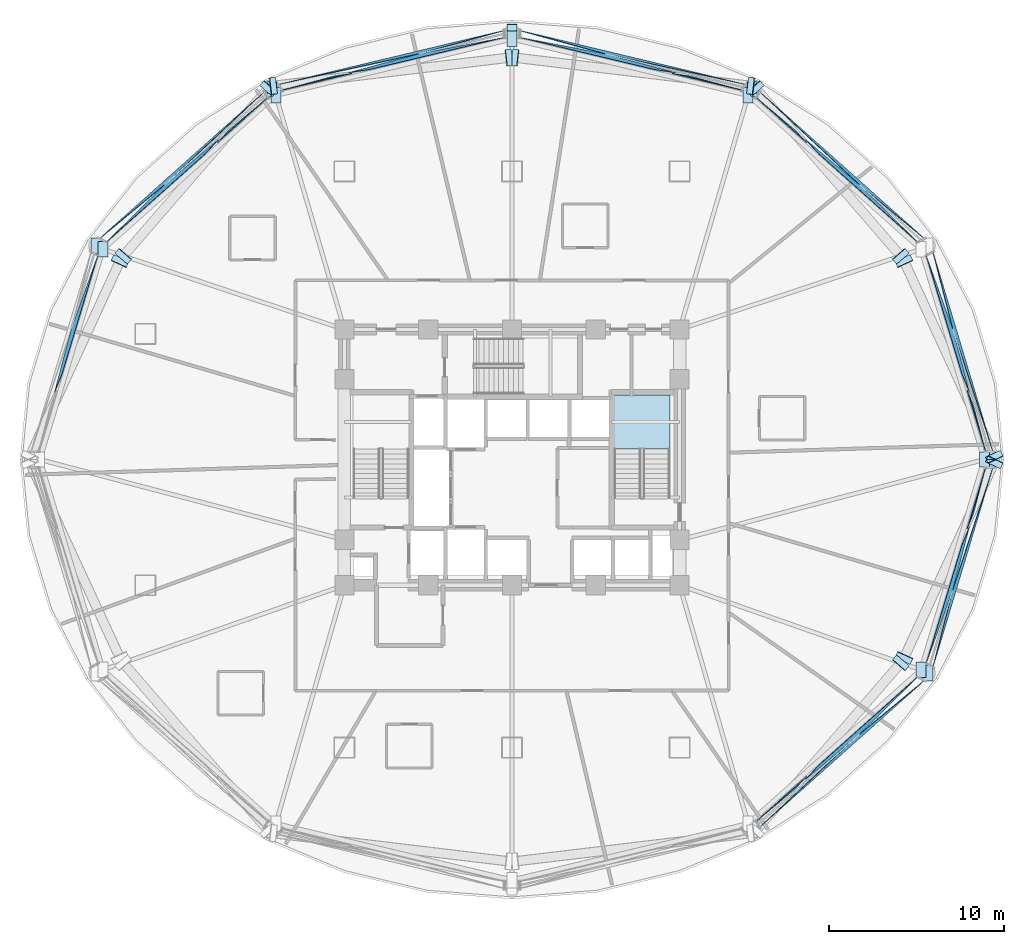
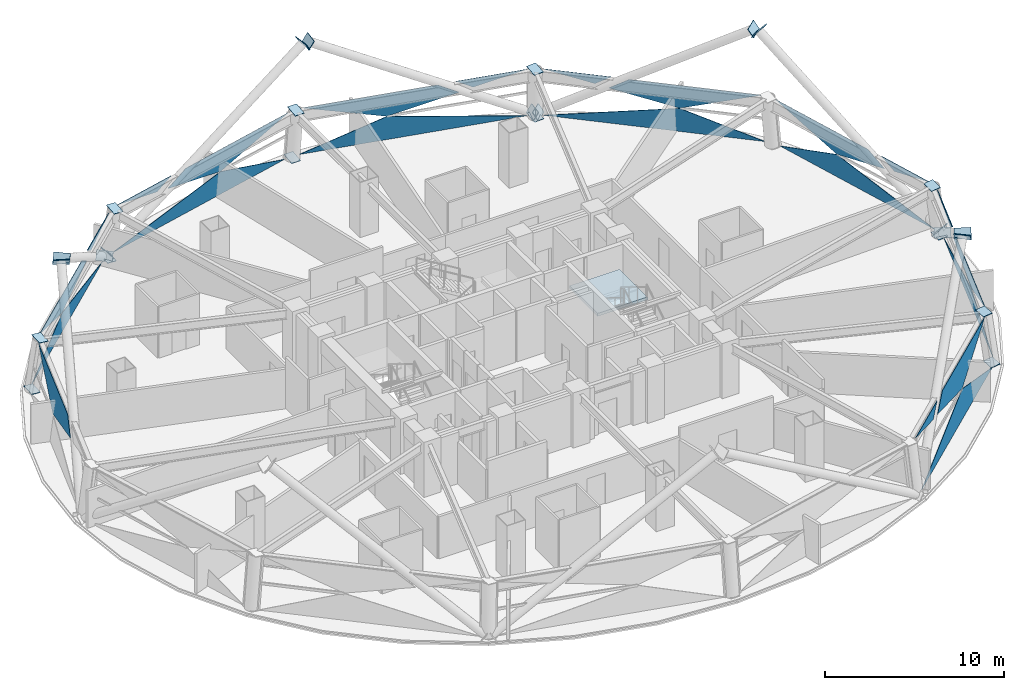
# One storey, part 4 of 13: 48 plates, 1 slab, 9 elements without a shape of their own.
"""IFC4 building model written with IfcOpenShell, lengths in metres."""

import ifcopenshell
import ifcopenshell.guid

model = None  # the IFC model being written
_history = None  # IfcOwnerHistory: only IFC2X3 demands one
_inside = {}  # id of a spatial element -> (the spatial element, [elements in it])
_under = {}  # id of a project, library or spatial element -> (it, [spatial elements below it])
_declared = {}  # id of a project -> (the project, [libraries it declares])
_typed = {}  # id of a type object -> (the type object, [elements of that type])
_made_of = {}  # id of a material, layer set ... -> (it, [elements and type objects made of it])


def new_model(schema):
    """Start an empty IFC model of exactly this schema.

    Asked for "IFC4X3", IfcOpenShell would pick the latest addendum, in which some entities
    have other attributes; the version numbers below select the first issue.
    IFC2X3 requires an IfcOwnerHistory on every rooted entity: one is made here for all.
    """
    global model, _history
    if schema == "IFC4X3":
        model = ifcopenshell.file(schema_version=(4, 3, 0, 0))
    else:
        model = ifcopenshell.file(schema=schema)
    _inside.clear()
    _under.clear()
    _declared.clear()
    _typed.clear()
    _made_of.clear()
    _history = None
    if model.schema == "IFC2X3":
        org = make("IfcOrganization", Name="unknown")
        user = make(
            "IfcPersonAndOrganization",
            ThePerson=make("IfcPerson", FamilyName="unknown"),
            TheOrganization=org,
        )
        app = make(
            "IfcApplication",
            ApplicationDeveloper=org,
            Version="unknown",
            ApplicationFullName="unknown",
            ApplicationIdentifier="unknown",
        )
        _history = make(
            "IfcOwnerHistory",
            OwningUser=user,
            OwningApplication=app,
            ChangeAction="ADDED",
            CreationDate=0,
        )
    return model


def make(cls, **values):
    """One entity of the class cls with the attributes given. An attribute that is None is left unset."""
    return model.create_entity(
        cls, **{name: value for name, value in values.items() if value is not None}
    )


def rooted(cls, **values):
    """An entity with a GlobalId (a new one), such as an element, a storey or a relation."""
    return make(cls, GlobalId=ifcopenshell.guid.new(), OwnerHistory=_history, **values)


def si_unit(unit_type, name, prefix=None):
    """IfcSIUnit, for example si_unit("LENGTHUNIT", "METRE", prefix="MILLI")."""
    return make("IfcSIUnit", UnitType=unit_type, Prefix=prefix, Name=name)


def assignment(units):
    """IfcUnitAssignment: the units of a project."""
    return None if units is None else make("IfcUnitAssignment", Units=units)


def point(xyz):
    """IfcCartesianPoint."""
    return None if xyz is None else make("IfcCartesianPoint", Coordinates=xyz)


def direction(xyz):
    """IfcDirection."""
    return None if xyz is None else make("IfcDirection", DirectionRatios=xyz)


def frame(location, z_axis=None, x_axis=None):
    """IfcAxis2Placement3D, a coordinate frame: its origin and axes. An axis left out is left unset."""
    return make(
        "IfcAxis2Placement3D",
        Location=point(location),
        Axis=direction(z_axis),
        RefDirection=direction(x_axis),
    )


def origin():
    """The frame at (0, 0, 0) with its axes left unset."""
    return frame((0.0, 0.0, 0.0))


def place(relative_to, where):
    """IfcLocalPlacement: puts the frame where relative to a parent placement (None: the world)."""
    return make(
        "IfcLocalPlacement", PlacementRelTo=relative_to, RelativePlacement=where
    )


def context(
    kind, dimensions, precision=None, world=None, true_north=None, identifier=None
):
    """IfcGeometricRepresentationContext, for example the 3D "Model" context."""
    return make(
        "IfcGeometricRepresentationContext",
        ContextIdentifier=identifier,
        ContextType=kind,
        CoordinateSpaceDimension=dimensions,
        Precision=precision,
        WorldCoordinateSystem=world,
        TrueNorth=true_north,
    )


def subcontext(parent, identifier, kind, view, scale=None):
    """IfcGeometricRepresentationSubContext, for example "Body" below "Model"."""
    return make(
        "IfcGeometricRepresentationSubContext",
        ContextIdentifier=identifier,
        ContextType=kind,
        ParentContext=parent,
        TargetScale=scale,
        TargetView=view,
    )


def project(units=None, contexts=None):
    """IfcProject with its units and contexts."""
    return rooted(
        "IfcProject",
        Name="project",
        RepresentationContexts=contexts,
        UnitsInContext=assignment(units),
    )


def spatial(cls, under=None, at=None, **own):
    """A site, building, storey or space (cls), placed at a placement, below another one or the project."""
    s = rooted(cls, ObjectPlacement=at, **own)
    if under is not None:
        _under.setdefault(under.id(), (under, []))[1].append(s)
    return s


def polyline(points):
    """IfcPolyline through the points."""
    return make("IfcPolyline", Points=[point(p) for p in points])


def outline(outer, holes=None, kind="AREA"):
    """IfcArbitraryClosedProfileDef: a profile drawn as a closed curve; with holes, ...WithVoids."""
    if holes is None:
        return make("IfcArbitraryClosedProfileDef", ProfileType=kind, OuterCurve=outer)
    return make(
        "IfcArbitraryProfileDefWithVoids",
        ProfileType=kind,
        OuterCurve=outer,
        InnerCurves=holes,
    )


def extrude(swept, where, along, depth):
    """IfcExtrudedAreaSolid: the profile swept, set in the frame where, extruded along a direction by depth."""
    return make(
        "IfcExtrudedAreaSolid",
        SweptArea=swept,
        Position=where,
        ExtrudedDirection=direction(along),
        Depth=depth,
    )


def shape(context_of_items, identifier, shape_type, items):
    """IfcShapeRepresentation: the items that make up one representation, for example the "Body"."""
    return make(
        "IfcShapeRepresentation",
        ContextOfItems=context_of_items,
        RepresentationIdentifier=identifier,
        RepresentationType=shape_type,
        Items=items,
    )


def material(Name=None, Category=None):
    """IfcMaterial."""
    return make("IfcMaterial", Name=Name, Category=Category)


def layer(
    of_material, thickness, ventilated=None, Name=None, Category=None, Priority=None
):
    """IfcMaterialLayer: one layer of a wall or slab, of a material (None: an air gap)."""
    return make(
        "IfcMaterialLayer",
        Material=of_material,
        LayerThickness=thickness,
        IsVentilated=ventilated,
        Name=Name,
        Category=Category,
        Priority=Priority,
    )


def layer_set(layers, Name=None):
    """IfcMaterialLayerSet."""
    return make("IfcMaterialLayerSet", MaterialLayers=layers, LayerSetName=Name)


def made_of(thing, what):
    """Note that an element or type object is made of a material, layer set ...; save() writes the relation."""
    if what is not None:
        _made_of.setdefault(what.id(), (what, []))[1].append(thing)
    return thing


def type_object(cls, material=None, **own):
    """A type object (cls), such as IfcWallType, which elements share."""
    return made_of(rooted(cls, **own), material)


def element(
    cls,
    number,
    at=None,
    inside=None,
    cuts=None,
    type_object=None,
    material=None,
    context=None,
    identifier="Body",
    shape_type=None,
    held_by="IfcProductDefinitionShape",
    body=None,
    shapes=None,
    **own,
):
    """One element of the class cls, such as IfcWall. Its Tag is "e" and its number.

    at: its placement. inside: the storey or other place that contains it. cuts: it is an
    opening in that element (IfcRelVoidsElement). A single representation is given by context,
    identifier, shape_type and body (its items); several are given by shapes. held_by: the class
    of the entity that holds the representations. save() writes the other relations.
    """
    e = rooted(cls, Tag="e%d" % number, ObjectPlacement=at, **own)
    if body is not None:
        shapes = [shape(context, identifier, shape_type, body)]
    if shapes is not None:
        e.Representation = make(held_by, Representations=shapes)
    if inside is not None:
        _inside.setdefault(inside.id(), (inside, []))[1].append(e)
    if cuts is not None:
        rooted(
            "IfcRelVoidsElement", RelatingBuildingElement=cuts, RelatedOpeningElement=e
        )
    if type_object is not None:
        _typed.setdefault(type_object.id(), (type_object, []))[1].append(e)
    return made_of(e, material)


def aggregate(whole, parts):
    """IfcRelAggregates: a whole, such as a stair, and the parts it consists of."""
    return rooted("IfcRelAggregates", RelatingObject=whole, RelatedObjects=parts)


def save(model, path):
    """Write the relations noted so far, then the file.

    IfcRelAggregates (storeys below a building ...), IfcRelContainedInSpatialStructure (elements
    in a storey), IfcRelDefinesByType, IfcRelAssociatesMaterial and IfcRelDeclares: one each for
    every whole, place, type object, material and project.
    """
    for whole, parts in _under.values():
        aggregate(whole, parts)
    for where, things in _inside.values():
        rooted(
            "IfcRelContainedInSpatialStructure",
            RelatedElements=things,
            RelatingStructure=where,
        )
    for kind, things in _typed.values():
        rooted("IfcRelDefinesByType", RelatedObjects=things, RelatingType=kind)
    for what, things in _made_of.values():
        rooted("IfcRelAssociatesMaterial", RelatedObjects=things, RelatingMaterial=what)
    for by, libraries in _declared.values():
        rooted("IfcRelDeclares", RelatingContext=by, RelatedDefinitions=libraries)
    model.write(path)


model = new_model("IFC4")

# Units and contexts
model_context = context("Model", 3, precision=1e-05, world=origin(), true_north=direction((0.0, 1.0)))
body_context = subcontext(model_context, "Body", "Model", "MODEL_VIEW")
ifc_project = project(units=[si_unit("LENGTHUNIT", "METRE"), si_unit("AREAUNIT", "SQUARE_METRE"), si_unit("VOLUMEUNIT", "CUBIC_METRE"), si_unit("PLANEANGLEUNIT", "RADIAN"), si_unit("MASSUNIT", "GRAM", prefix="KILO")], contexts=[model_context])

# Site, building, storey
site_placement = place(None, origin())
site = spatial("IfcSite", under=ifc_project, at=site_placement, CompositionType="ELEMENT")
building_placement = place(site_placement, origin())
building = spatial("IfcBuilding", under=site, at=building_placement, Name="Vantalir Tower", CompositionType="ELEMENT")
storey_placement = place(building_placement, frame((0.0, 0.0, 87.0)))
storey = spatial("IfcBuildingStorey", under=building, at=storey_placement, Name="L21", CompositionType="ELEMENT", Elevation=87.0)

# Curtain wall, plates
ifc_material_1 = material(Name="Champagne-silver PVDF aluminium and double-silver Low-E glass", Category="aluminium")
ifc_layer_1 = layer(ifc_material_1, 0.18994140625)
ifc_layer_set_1 = layer_set([ifc_layer_1], Name="Champagne-silver PVDF aluminium and double-silver Low-E glass")
curtain_wall_type = type_object("IfcCurtainWallType", Name="CW-DIAMOND-Z1", PredefinedType="USERDEFINED", material=ifc_layer_set_1)
curtain_wall_1_placement = place(storey_placement, origin())
curtain_wall_1 = element("IfcCurtainWall", 1, at=curtain_wall_1_placement, inside=storey, type_object=curtain_wall_type, Name="L21 Quilted Pyramid-Diamond Curtain Wall S01", ObjectType="UNITISED CURTAIN WALL", PredefinedType="USERDEFINED")
ifc_material_2 = material(Name="Double-silver Low-E laminated glass IGU", Category="glass")
ifc_layer_2 = layer(ifc_material_2, 0.028076171875)
ifc_layer_set_2 = layer_set([ifc_layer_2], Name="Double-silver Low-E laminated glass IGU")
plate_type_1 = type_object("IfcPlateType", Name="CWP-IGU-28", PredefinedType="CURTAIN_PANEL", material=ifc_layer_set_2)
plate_1_placement = place(storey_placement, frame((59.05029296875, 25.46435546875, 0.04638671875), z_axis=(0.951694543297, 0.286088216018, 0.111494524148), x_axis=(-0.287885354607, 0.957664879894, 2.0485687e-05)))
plate_1 = element("IfcPlate", 2, at=plate_1_placement, type_object=plate_type_1, Name="CW-L21-S01 Pyramid Diamond Facet 1L", PredefinedType="CURTAIN_PANEL", context=body_context, shape_type="SweptSolid", body=[
    extrude(outline(polyline([(0.0, 0.0), (11.917619803242394, -1.3173056395698879e-17), (7.382607156029177, 1.7026030825594967), (0.0, 0.0)])), origin(), (0.0, 0.0, -1.0), 0.028076171875),
])
plate_2_placement = place(storey_placement, frame((57.261474609375, 29.919921875, 3.45361328125), z_axis=(0.94837266822, 0.285038277386, 0.139077182164), x_axis=(-0.287830929893, 0.95768123851, -3.4682404e-05)))
plate_2 = element("IfcPlate", 3, at=plate_2_placement, type_object=plate_type_1, Name="CW-L21-S01 Pyramid Diamond Facet 2U", PredefinedType="CURTAIN_PANEL", context=body_context, shape_type="SweptSolid", body=[
    extrude(outline(polyline([(0.0, 0.0), (7.055411051400231, -5.312590645178972e-18), (2.6008023267074565, -1.7086539481759768), (-1.1538174702461272, -0.8242127600495004), (0.0, 0.0)])), origin(), (0.0, 0.0, -1.0), 0.028076171875),
])
plate_3_placement = place(storey_placement, frame((58.630859375, 25.4736328125, 3.4580078125), z_axis=(0.94841804068, 0.285023705395, 0.138797361197), x_axis=(-0.287809470002, 0.957687688642, 0.0)))
plate_3 = element("IfcPlate", 4, at=plate_3_placement, type_object=plate_type_1, Name="CW-L21-S01 Pyramid Diamond Facet 2U Infill Light", PredefinedType="CURTAIN_PANEL", context=body_context, shape_type="SweptSolid", body=[
    extrude(outline(polyline([(0.0, 0.0), (3.6390855424019612, 0.0), (2.736520207797638, -0.6446675991742541), (0.0, 0.0)])), origin(), (0.0, 0.0, -1.0), 0.028076171875),
])
aggregate(curtain_wall_1, [plate_1, plate_2, plate_3])

curtain_wall_2_placement = place(storey_placement, origin())
curtain_wall_2 = element("IfcCurtainWall", 5, at=curtain_wall_2_placement, inside=storey, type_object=curtain_wall_type, Name="L21 Quilted Pyramid-Diamond Curtain Wall S02", ObjectType="UNITISED CURTAIN WALL", PredefinedType="USERDEFINED")
plate_4_placement = place(storey_placement, frame((55.117919921875, 37.66455078125, 0.04638671875), z_axis=(0.661767027438, 0.742257356192, 0.105443911981), x_axis=(-0.746417084614, 0.665478425963, -1.9363315e-05)))
plate_4 = element("IfcPlate", 6, at=plate_4_placement, type_object=plate_type_1, Name="CW-L21-S02 Pyramid Diamond Facet 1L", PredefinedType="CURTAIN_PANEL", context=body_context, shape_type="SweptSolid", body=[
    extrude(outline(polyline([(0.0, 0.0), (12.608410239389572, 1.9000643072808465e-16), (4.829622612603815, 1.7019643530332749), (0.0, 0.0)])), origin(), (0.0, 0.0, -1.0), 0.028076171875),
])
plate_5_placement = place(storey_placement, frame((54.729248046875, 37.4638671875, 3.45361328125), z_axis=(0.659572210178, 0.739856089565, 0.132580037316), x_axis=(-0.746445454333, 0.665446604699, -3.36969e-07)))
plate_5 = element("IfcPlate", 7, at=plate_5_placement, type_object=plate_type_1, Name="CW-L21-S02 Pyramid Diamond Facet 2U", PredefinedType="CURTAIN_PANEL", context=body_context, shape_type="SweptSolid", body=[
    extrude(outline(polyline([(0.0, 0.0), (7.511528341997055, -5.551115123125783e-17), (8.692733209817325, -0.8177629092171145), (4.673243662964143, -1.7077029945970903), (0.0, 0.0)])), origin(), (0.0, 0.0, -1.0), 0.028076171875),
])
plate_6_placement = place(storey_placement, frame((48.369873046875, 43.175537109375, 3.4580078125), z_axis=(0.659585449913, 0.739859796798, 0.132493453967), x_axis=(-0.746440505611, 0.665452155743, 0.0)))
plate_6 = element("IfcPlate", 8, at=plate_6_placement, type_object=plate_type_1, Name="CW-L21-S02 Pyramid Diamond Facet 2U Infill Light", PredefinedType="CURTAIN_PANEL", context=body_context, shape_type="SweptSolid", body=[
    extrude(outline(polyline([(0.0, 0.0), (3.840492574024309, 5.551115123125783e-17), (0.9300684540058948, -0.6441062521645798), (0.0, 0.0)])), origin(), (0.0, 0.0, -1.0), 0.028076171875),
])
aggregate(curtain_wall_2, [plate_4, plate_5, plate_6])

curtain_wall_3_placement = place(storey_placement, origin())
curtain_wall_3 = element("IfcCurtainWall", 9, at=curtain_wall_3_placement, inside=storey, type_object=curtain_wall_type, Name="L21 Quilted Pyramid-Diamond Curtain Wall S03", ObjectType="UNITISED CURTAIN WALL", PredefinedType="USERDEFINED")
plate_7_placement = place(storey_placement, frame((44.873291015625, 46.490478515625, 0.046142578125), z_axis=(0.231166275065, 0.967747894721, 0.100130742208), x_axis=(-0.972636513399, 0.232332116731, 1.840546e-05)))
plate_7 = element("IfcPlate", 10, at=plate_7_placement, type_object=plate_type_1, Name="CW-L21-S03 Pyramid Diamond Facet 1L", PredefinedType="CURTAIN_PANEL", context=body_context, shape_type="SweptSolid", body=[
    extrude(outline(polyline([(0.0, 0.0), (13.264576386342606, -6.776263578034403e-19), (8.215029670528716, 1.7012699850372826), (0.0, 0.0)])), origin(), (0.0, 0.0, -1.0), 0.028076171875),
])
plate_8_placement = place(storey_placement, frame((39.609619140625, 47.34619140625, 3.45361328125), z_axis=(0.230402199618, 0.964684685814, 0.127664730321), x_axis=(-0.972643457999, 0.232303042623, 3.5097e-08)))
plate_8 = element("IfcPlate", 11, at=plate_8_placement, type_object=plate_type_1, Name="CW-L21-S03 Pyramid Diamond Facet 2U", PredefinedType="CURTAIN_PANEL", context=body_context, shape_type="SweptSolid", body=[
    extrude(outline(polyline([(0.0, 0.0), (7.852763407708801, 0.0), (2.8964505979447095, -1.7065914428825775), (-1.2773340437156933, -0.8246183110278089), (0.0, 0.0)])), origin(), (0.0, 0.0, -1.0), 0.028076171875),
])
plate_9_placement = place(storey_placement, frame((44.65576171875, 46.173583984375, 3.457763671875), z_axis=(0.230446347089, 0.964679766185, 0.127622215258), x_axis=(-0.972633131039, 0.232346276933, 0.0)))
plate_9 = element("IfcPlate", 12, at=plate_9_placement, type_object=plate_type_1, Name="CW-L21-S03 Pyramid Diamond Facet 2U Infill Light", PredefinedType="CURTAIN_PANEL", context=body_context, shape_type="SweptSolid", body=[
    extrude(outline(polyline([(0.0, 0.0), (4.092717761291587, 0.0), (3.0836921235179138, -0.6515682038711462), (0.0, 0.0)])), origin(), (0.0, 0.0, -1.0), 0.028076171875),
])
aggregate(curtain_wall_3, [plate_7, plate_8, plate_9])

curtain_wall_4_placement = place(storey_placement, origin())
curtain_wall_4 = element("IfcCurtainWall", 13, at=curtain_wall_4_placement, inside=storey, type_object=curtain_wall_type, Name="L21 Quilted Pyramid-Diamond Curtain Wall S04", ObjectType="UNITISED CURTAIN WALL", PredefinedType="USERDEFINED")
plate_10_placement = place(storey_placement, frame((31.0283203125, 49.572265625, 0.04638671875), z_axis=(-0.231166275065, 0.967747894721, 0.100130742208), x_axis=(-0.972636513399, -0.232332116731, -1.840546e-05)))
plate_10 = element("IfcPlate", 14, at=plate_10_placement, type_object=plate_type_1, Name="CW-L21-S04 Pyramid Diamond Facet 1L", PredefinedType="CURTAIN_PANEL", context=body_context, shape_type="SweptSolid", body=[
    extrude(outline(polyline([(0.0, 0.0), (13.264576386342606, 6.776263578034403e-19), (5.04954671581389, 1.7012699850372828), (0.0, 0.0)])), origin(), (0.0, 0.0, -1.0), 0.028076171875),
])
plate_11_placement = place(storey_placement, frame((31.0283203125, 49.17041015625, 3.45361328125), z_axis=(-0.230402199618, 0.964684685814, 0.127664730321), x_axis=(-0.972643457999, -0.232303042623, -3.5097e-08)))
plate_11 = element("IfcPlate", 15, at=plate_11_placement, type_object=plate_type_1, Name="CW-L21-S04 Pyramid Diamond Facet 2U", PredefinedType="CURTAIN_PANEL", context=body_context, shape_type="SweptSolid", body=[
    extrude(outline(polyline([(0.0, 0.0), (7.852763407708801, 0.0), (9.130097451424493, -0.8246183110278089), (4.956312809764091, -1.7065914428825775), (0.0, 0.0)])), origin(), (0.0, 0.0, -1.0), 0.028076171875),
])
plate_12_placement = place(storey_placement, frame((22.324951171875, 47.12451171875, 3.457763671875), z_axis=(-0.230446347089, 0.964679766185, 0.127622215258), x_axis=(-0.972633131039, -0.232346276933, 0.0)))
plate_12 = element("IfcPlate", 16, at=plate_12_placement, type_object=plate_type_1, Name="CW-L21-S04 Pyramid Diamond Facet 2U Infill Light", PredefinedType="CURTAIN_PANEL", context=body_context, shape_type="SweptSolid", body=[
    extrude(outline(polyline([(0.0, 0.0), (4.092717761291587, 0.0), (1.0090256377736726, -0.6515682038711462), (0.0, 0.0)])), origin(), (0.0, 0.0, -1.0), 0.028076171875),
])
aggregate(curtain_wall_4, [plate_10, plate_11, plate_12])

curtain_wall_5_placement = place(storey_placement, origin())
curtain_wall_5 = element("IfcCurtainWall", 17, at=curtain_wall_5_placement, inside=storey, type_object=curtain_wall_type, Name="L21 Quilted Pyramid-Diamond Curtain Wall S05", ObjectType="UNITISED CURTAIN WALL", PredefinedType="USERDEFINED")
plate_13_placement = place(storey_placement, frame((17.293212890625, 46.05517578125, 0.046142578125), z_axis=(-0.661767027438, 0.742257356192, 0.105443911981), x_axis=(-0.746417084614, -0.665478425963, 1.9363315e-05)))
plate_13 = element("IfcPlate", 18, at=plate_13_placement, type_object=plate_type_1, Name="CW-L21-S05 Pyramid Diamond Facet 1L", PredefinedType="CURTAIN_PANEL", context=body_context, shape_type="SweptSolid", body=[
    extrude(outline(polyline([(0.0, 0.0), (12.608410239389572, -1.9000643072808465e-16), (7.778787626785757, 1.7019643530332749), (0.0, 0.0)])), origin(), (0.0, 0.0, -1.0), 0.028076171875),
])
plate_14_placement = place(storey_placement, frame((13.877685546875, 42.46240234375, 3.45361328125), z_axis=(-0.659572210178, 0.739856089565, 0.132580037316), x_axis=(-0.746445454333, -0.665446604699, 3.36969e-07)))
plate_14 = element("IfcPlate", 19, at=plate_14_placement, type_object=plate_type_1, Name="CW-L21-S05 Pyramid Diamond Facet 2U", PredefinedType="CURTAIN_PANEL", context=body_context, shape_type="SweptSolid", body=[
    extrude(outline(polyline([(0.0, 0.0), (7.511528341997055, 5.551115123125783e-17), (2.8382846790329124, -1.7077029945970903), (-1.1812048678202693, -0.8177629092171145), (0.0, 0.0)])), origin(), (0.0, 0.0, -1.0), 0.028076171875),
])
plate_15_placement = place(storey_placement, frame((17.496826171875, 45.731201171875, 3.4580078125), z_axis=(-0.659585449913, 0.739859796798, 0.132493453967), x_axis=(-0.746440505611, -0.665452155743, 0.0)))
plate_15 = element("IfcPlate", 20, at=plate_15_placement, type_object=plate_type_1, Name="CW-L21-S05 Pyramid Diamond Facet 2U Infill Light", PredefinedType="CURTAIN_PANEL", context=body_context, shape_type="SweptSolid", body=[
    extrude(outline(polyline([(0.0, 0.0), (3.840492574024309, -5.551115123125783e-17), (2.9104241200184147, -0.6441062521645798), (0.0, 0.0)])), origin(), (0.0, 0.0, -1.0), 0.028076171875),
])
aggregate(curtain_wall_5, [plate_13, plate_14, plate_15])

# Curtain wall, plate
curtain_wall_6_placement = place(storey_placement, origin())
curtain_wall_6 = element("IfcCurtainWall", 21, at=curtain_wall_6_placement, inside=storey, type_object=curtain_wall_type, Name="L21 Quilted Pyramid-Diamond Curtain Wall S06", ObjectType="UNITISED CURTAIN WALL", PredefinedType="USERDEFINED")
plate_16_placement = place(storey_placement, frame((7.769287109375, 36.6767578125, 3.453369140625), z_axis=(-0.94837266822, 0.285038277386, 0.139077182164), x_axis=(-0.287830929893, -0.95768123851, 3.4682404e-05)))
plate_16 = element("IfcPlate", 22, at=plate_16_placement, type_object=plate_type_1, Name="CW-L21-S06 Pyramid Diamond Facet 2U", PredefinedType="CURTAIN_PANEL", context=body_context, shape_type="SweptSolid", body=[
    extrude(outline(polyline([(0.0, 0.0), (7.055411051400231, 5.312590645178972e-18), (8.209228521646358, -0.8242127600495004), (4.454608724692775, -1.7086539481759766), (0.0, 0.0)])), origin(), (0.0, 0.0, -1.0), 0.028076171875),
])
aggregate(curtain_wall_6, [plate_16])

# Curtain wall, plates
curtain_wall_7_placement = place(storey_placement, origin())
curtain_wall_7 = element("IfcCurtainWall", 23, at=curtain_wall_7_placement, inside=storey, type_object=curtain_wall_type, Name="L21 Quilted Pyramid-Diamond Curtain Wall S11", ObjectType="UNITISED CURTAIN WALL", PredefinedType="USERDEFINED")
plate_17_placement = place(storey_placement, frame((45.706787109375, 3.94482421875, 0.046142578125), z_axis=(0.661728088337, -0.742300073821, 0.105387558617), x_axis=(0.74645555828, 0.665435270435, 1.9364314e-05)))
plate_17 = element("IfcPlate", 24, at=plate_17_placement, type_object=plate_type_1, Name="CW-L21-S11 Pyramid Diamond Facet 1L", PredefinedType="CURTAIN_PANEL", context=body_context, shape_type="SweptSolid", body=[
    extrude(outline(polyline([(0.0, 0.0), (12.607760379185711, 6.299214622140781e-17), (7.778289860468021, 1.7019541307610004), (0.0, 0.0)])), origin(), (0.0, 0.0, -1.0), 0.028076171875),
])
plate_18_placement = place(storey_placement, frame((49.1220703125, 7.537353515625, 3.45361328125), z_axis=(0.65949795435, -0.739891201347, 0.13275337426), x_axis=(0.746498527554, 0.665387066569, -1.625589e-06)))
plate_18 = element("IfcPlate", 25, at=plate_18_placement, type_object=plate_type_1, Name="CW-L21-S11 Pyramid Diamond Facet 2U", PredefinedType="CURTAIN_PANEL", context=body_context, shape_type="SweptSolid", body=[
    extrude(outline(polyline([(0.0, 0.0), (7.51122322315995, -1.6653345369377348e-16), (2.838163404571703, -1.7077373491954775), (-1.181012376775666, -0.8177992631823399), (0.0, 0.0)])), origin(), (0.0, 0.0, -1.0), 0.028076171875),
])
plate_19_placement = place(storey_placement, frame((45.503173828125, 4.268798828125, 3.4580078125), z_axis=(0.659544351118, -0.739884376691, 0.132560771113), x_axis=(0.746472082691, 0.665416733906, 0.0)))
plate_19 = element("IfcPlate", 26, at=plate_19_placement, type_object=plate_type_1, Name="CW-L21-S11 Pyramid Diamond Facet 2U Infill Light", PredefinedType="CURTAIN_PANEL", context=body_context, shape_type="SweptSolid", body=[
    extrude(outline(polyline([(0.0, 0.0), (3.8403301144429625, 0.0), (2.910265711144862, -0.6441121012154375), (0.0, 0.0)])), origin(), (0.0, 0.0, -1.0), 0.028076171875),
])
aggregate(curtain_wall_7, [plate_17, plate_18, plate_19])

curtain_wall_8_placement = place(storey_placement, origin())
curtain_wall_8 = element("IfcCurtainWall", 27, at=curtain_wall_8_placement, inside=storey, type_object=curtain_wall_type, Name="L21 Quilted Pyramid-Diamond Curtain Wall S12", ObjectType="UNITISED CURTAIN WALL", PredefinedType="USERDEFINED")
plate_20_placement = place(storey_placement, frame((55.619384765625, 13.121337890625, 0.046630859375), z_axis=(0.951698171273, -0.286058709851, 0.111539254589), x_axis=(0.287857117969, 0.957673367707, -2.0483677e-05)))
plate_20 = element("IfcPlate", 28, at=plate_20_placement, type_object=plate_type_1, Name="CW-L21-S12 Pyramid Diamond Facet 1L", PredefinedType="CURTAIN_PANEL", context=body_context, shape_type="SweptSolid", body=[
    extrude(outline(polyline([(0.0, 0.0), (11.918788832934789, 2.4692704478357363e-17), (4.535719666683183, 1.70261168785727), (0.0, 0.0)])), origin(), (0.0, 0.0, -1.0), 0.028076171875),
])
plate_21_placement = place(storey_placement, frame((55.230712890625, 13.322265625, 3.453369140625), z_axis=(0.948379882263, -0.285025089156, 0.139055015984), x_axis=(0.287816614687, 0.957685540801, 3.5378082e-05)))
plate_21 = element("IfcPlate", 29, at=plate_21_placement, type_object=plate_type_1, Name="CW-L21-S12 Pyramid Diamond Facet 2U", PredefinedType="CURTAIN_PANEL", context=body_context, shape_type="SweptSolid", body=[
    extrude(outline(polyline([(0.0, 0.0), (7.05587867056228, -7.643625316022806e-18), (8.209693859359085, -0.8242159529133234), (4.455071614923113, -1.7086467500808336), (0.0, 0.0)])), origin(), (0.0, 0.0, -1.0), 0.028076171875),
])
plate_22_placement = place(storey_placement, frame((57.58349609375, 21.041015625, 3.4580078125), z_axis=(0.94841998489, -0.285004324403, 0.138823871623), x_axis=(0.287790979439, 0.957693245331, 0.0)))
plate_22 = element("IfcPlate", 30, at=plate_22_placement, type_object=plate_type_1, Name="CW-L21-S12 Pyramid Diamond Facet 2U Infill Light", PredefinedType="CURTAIN_PANEL", context=body_context, shape_type="SweptSolid", body=[
    extrude(outline(polyline([(0.0, 0.0), (3.63931935355115, 2.7755575615628914e-17), (0.9025636068407809, -0.6446700181186271), (0.0, 0.0)])), origin(), (0.0, 0.0, -1.0), 0.028076171875),
])
aggregate(curtain_wall_8, [plate_20, plate_21, plate_22])

# Plates
ifc_material_3 = material(Name="Steel S460", Category="steel")
ifc_layer_3 = layer(ifc_material_3, 0.0400390625)
ifc_layer_set_3 = layer_set([ifc_layer_3], Name="Steel S460")
plate_type_2 = type_object("IfcPlateType", Name="PLT-KN-Z1", PredefinedType="USERDEFINED", material=ifc_layer_set_3)
plate_23_placement = place(storey_placement, frame((59.46875, 25.529541015625, -0.04443359375), z_axis=(-0.344062366162, 0.745749901625, 0.570506943356), x_axis=(-0.908019553303, -0.418927787117, 0.0)))
element("IfcPlate", 31, at=plate_23_placement, inside=storey, type_object=plate_type_2, Name="Node Cap Plate MEM-DG-L21-R01L Start", ObjectType="FLANGE_PLATE", PredefinedType="USERDEFINED", context=body_context, shape_type="SweptSolid", body=[
    extrude(outline(polyline([(0.0, 0.0), (0.9499231872122853, 0.0), (0.9498553579163278, 0.6197950555687395), (-6.78292959573612e-05, 0.6197950555687395), (0.0, 0.0)])), origin(), (0.0, 0.0, -1.0), 0.0400390625),
])
plate_24_placement = place(storey_placement, frame((54.2998046875, 36.7353515625, 8.528076171875), z_axis=(-0.343993934519, 0.745830359408, 0.57044302783), x_axis=(-0.908052526978, -0.41885630622, 5.4673126e-05)))
element("IfcPlate", 32, at=plate_24_placement, inside=storey, type_object=plate_type_2, Name="Node Cap Plate MEM-DG-L21-R01L End", ObjectType="FLANGE_PLATE", PredefinedType="USERDEFINED", context=body_context, shape_type="SweptSolid", body=[
    extrude(outline(polyline([(0.0, 0.0), (0.94992318284932, -2.7755575615628914e-17), (0.9498553622789814, 0.6199955754624666), (3.4439270047140736e-05, 0.6201220338183491), (0.0, 0.0)])), origin(), (0.0, 0.0, -1.0), 0.0400390625),
])
plate_25_placement = place(storey_placement, frame((58.606201171875, 24.868408203125, -0.04443359375), z_axis=(-0.344062366162, -0.745749901625, 0.570506943356), x_axis=(0.908019553303, -0.418927787117, 0.0)))
element("IfcPlate", 33, at=plate_25_placement, inside=storey, type_object=plate_type_2, Name="Node Cap Plate MEM-DG-L21-R01R Start", ObjectType="FLANGE_PLATE", PredefinedType="USERDEFINED", context=body_context, shape_type="SweptSolid", body=[
    extrude(outline(polyline([(0.0, 0.0), (0.9499231872122853, 0.0), (0.9499910165082426, 0.6197950555687395), (6.78292959573612e-05, 0.6197950555687395), (0.0, 0.0)])), origin(), (0.0, 0.0, -1.0), 0.0400390625),
])
plate_26_placement = place(storey_placement, frame((53.437255859375, 13.66162109375, 8.528076171875), z_axis=(-0.343969972302, -0.74588395037, 0.570387404081), x_axis=(0.908082405534, -0.418791527961, -2.9452574e-05)))
element("IfcPlate", 34, at=plate_26_placement, inside=storey, type_object=plate_type_2, Name="Node Cap Plate MEM-DG-L21-R01R End", ObjectType="FLANGE_PLATE", PredefinedType="USERDEFINED", context=body_context, shape_type="SweptSolid", body=[
    extrude(outline(polyline([(0.0, 0.0), (0.9501448759116249, 0.0), (0.9499268214407384, 0.6200637031088911), (0.00010588936053309488, 0.6199955748729302), (0.0, 0.0)])), origin(), (0.0, 0.0, -1.0), 0.0400390625),
])
for number, where, z_axis, x_axis, name in (
    (35, (45.045654296875, 46.89208984375, -0.060302734375), (-0.839402646094, 0.100389340537, 0.534158382913), (-0.118749929445, -0.99292419361, 0.0), "Node Cap Plate MEM-DG-L21-R07L Start"),
    (36, (31.5498046875, 48.50537109375, 8.527587890625), (-0.839402646094, 0.100389340537, 0.534158382913), (-0.118749929445, -0.99292419361, 0.0), "Node Cap Plate MEM-DG-L21-R07L End"),
):
    element("IfcPlate", number, at=place(storey_placement, frame(where, z_axis=z_axis, x_axis=x_axis)), inside=storey, type_object=plate_type_2, Name=name, ObjectType="FLANGE_PLATE", PredefinedType="USERDEFINED", context=body_context, shape_type="SweptSolid", body=[
        extrude(outline(polyline([(0.0, 0.0), (0.9498360906544084, -6.938893903907228e-18), (0.9498128094552318, 0.6200373556294201), (-2.3281199176630463e-05, 0.6200373556294201), (0.0, 0.0)])), origin(), (0.0, 0.0, -1.0), 0.0400390625),
    ])
plate_27_placement = place(storey_placement, frame((45.222900390625, 45.793212890625, -0.04931640625), z_axis=(0.542209684902, -0.626756913852, 0.559628831045), x_axis=(0.756273820566, 0.654255231791, 0.0)))
element("IfcPlate", 37, at=plate_27_placement, inside=storey, type_object=plate_type_2, Name="Node Cap Plate MEM-DG-L21-R07R Start", ObjectType="FLANGE_PLATE", PredefinedType="USERDEFINED", context=body_context, shape_type="SweptSolid", body=[
    extrude(outline(polyline([(0.0, 0.0), (0.9500604673014676, 0.0), (0.9500579577919437, 0.6201147845313589), (-2.50950952396245e-06, 0.6201147845313589), (0.0, 0.0)])), origin(), (0.0, 0.0, -1.0), 0.0400390625),
])
plate_28_placement = place(storey_placement, frame((53.530517578125, 36.19189453125, 8.52783203125), z_axis=(0.542223288122, -0.626666152906, 0.559717284547), x_axis=(0.756201575999, 0.654338731037, 3.9002289e-05)))
element("IfcPlate", 38, at=plate_28_placement, inside=storey, type_object=plate_type_2, Name="Node Cap Plate MEM-DG-L21-R07R End", ObjectType="FLANGE_PLATE", PredefinedType="USERDEFINED", context=body_context, shape_type="SweptSolid", body=[
    extrude(outline(polyline([(0.0, 0.0), (0.9498758412621873, -5.551115123125783e-17), (0.94993169331419, 0.620114778488779), (-0.0001287674733876545, 0.6202041996653231), (0.0, 0.0)])), origin(), (0.0, 0.0, -1.0), 0.0400390625),
])
plate_29_placement = place(storey_placement, frame((17.05859375, 46.414794921875, -0.04931640625), z_axis=(-0.542209684902, -0.626756913852, 0.559628831045), x_axis=(0.756273820566, -0.654255231791, 0.0)))
element("IfcPlate", 39, at=plate_29_placement, inside=storey, type_object=plate_type_2, Name="Node Cap Plate MEM-DG-L21-R13L Start", ObjectType="FLANGE_PLATE", PredefinedType="USERDEFINED", context=body_context, shape_type="SweptSolid", body=[
    extrude(outline(polyline([(0.0, 0.0), (0.9500604673014676, 0.0), (0.9500629768109917, 0.6201147845313589), (2.50950952396245e-06, 0.6201147845313589), (0.0, 0.0)])), origin(), (0.0, 0.0, -1.0), 0.0400390625),
])
plate_30_placement = place(storey_placement, frame((8.751220703125, 36.8134765625, 8.52783203125), z_axis=(-0.542223288122, -0.626666152906, 0.559717284547), x_axis=(0.756201575999, -0.654338731037, -3.9002289e-05)))
element("IfcPlate", 40, at=plate_30_placement, inside=storey, type_object=plate_type_2, Name="Node Cap Plate MEM-DG-L21-R13L End", ObjectType="FLANGE_PLATE", PredefinedType="USERDEFINED", context=body_context, shape_type="SweptSolid", body=[
    extrude(outline(polyline([(0.0, 0.0), (0.9498758412621873, 5.551115123125783e-17), (0.9500046087355749, 0.6202041996653231), (-5.585205200271258e-05, 0.620114778488779), (0.0, 0.0)])), origin(), (0.0, 0.0, -1.0), 0.0400390625),
])
for number, where, z_axis, x_axis, name in (
    (41, (18.067138671875, 45.948974609375, -0.060302734375), (0.839402646094, 0.100389340537, 0.534158382913), (-0.118749929445, 0.99292419361, 0.0), "Node Cap Plate MEM-DG-L21-R13R Start"),
    (42, (31.56298828125, 47.562255859375, 8.527587890625), (0.839402646094, 0.100389340537, 0.534158382913), (-0.118749929445, 0.99292419361, 0.0), "Node Cap Plate MEM-DG-L21-R13R End"),
):
    element("IfcPlate", number, at=place(storey_placement, frame(where, z_axis=z_axis, x_axis=x_axis)), inside=storey, type_object=plate_type_2, Name=name, ObjectType="FLANGE_PLATE", PredefinedType="USERDEFINED", context=body_context, shape_type="SweptSolid", body=[
        extrude(outline(polyline([(0.0, 0.0), (0.9498360906544084, 6.938893903907228e-18), (0.949859371853585, 0.6200373556294201), (2.3281199176630463e-05, 0.6200373556294201), (0.0, 0.0)])), origin(), (0.0, 0.0, -1.0), 0.0400390625),
    ])
plate_31_placement = place(storey_placement, frame((9.562744140625, 36.33740234375, 8.528076171875), z_axis=(0.343993934519, 0.745830359408, 0.57044302783), x_axis=(-0.908052526978, 0.41885630622, -5.4673126e-05)))
element("IfcPlate", 43, at=plate_31_placement, inside=storey, type_object=plate_type_2, Name="Node Cap Plate MEM-DG-L21-R19R End", ObjectType="FLANGE_PLATE", PredefinedType="USERDEFINED", context=body_context, shape_type="SweptSolid", body=[
    extrude(outline(polyline([(0.0, 0.0), (0.94992318284932, 2.7755575615628914e-17), (0.9498887435792729, 0.6201220338183492), (6.782057033858593e-05, 0.6199955754624666), (0.0, 0.0)])), origin(), (0.0, 0.0, -1.0), 0.0400390625),
])
plate_32_placement = place(storey_placement, frame((54.248779296875, 13.185546875, 8.52783203125), z_axis=(0.542223288122, 0.626666152906, 0.559717284547), x_axis=(-0.756201575999, 0.654338731037, -3.9002289e-05)))
element("IfcPlate", 44, at=plate_32_placement, inside=storey, type_object=plate_type_2, Name="Node Cap Plate MEM-DG-L21-R31L End", ObjectType="FLANGE_PLATE", PredefinedType="USERDEFINED", context=body_context, shape_type="SweptSolid", body=[
    extrude(outline(polyline([(0.0, 0.0), (0.9498758412621873, 5.551115123125783e-17), (0.9500046087355749, 0.6202041996653231), (-5.585205200271258e-05, 0.620114778488779), (0.0, 0.0)])), origin(), (0.0, 0.0, -1.0), 0.0400390625),
])
ifc_layer_4 = layer(ifc_material_3, 0.035888671875)
ifc_layer_set_4 = layer_set([ifc_layer_4], Name="Steel S460")
plate_type_3 = type_object("IfcPlateType", Name="PLT-KN-Z2", PredefinedType="USERDEFINED", material=ifc_layer_set_4)
for number, where, z_axis, x_axis, name in (
    (45, (58.2587890625, 25.43994140625, 3.49072265625), (-0.127557239751, 0.0, 0.991831210735), (0.0, -1.0, 0.0), "L21 Ring Column Top Cap RC01"),
    (46, (58.70556640625, 25.43994140625, 0.015625), (-0.127557239751, 0.0, 0.991831210735), (0.0, -1.0, 0.0), "L21 Ring Column Base Cap RC01"),
):
    element("IfcPlate", number, at=place(storey_placement, frame(where, z_axis=z_axis, x_axis=x_axis)), inside=storey, type_object=plate_type_3, Name=name, ObjectType="FLANGE_PLATE", PredefinedType="USERDEFINED", context=body_context, shape_type="SweptSolid", body=[
        extrude(outline(polyline([(0.0, 0.0), (0.8798828125, 0.0), (0.8798828125, 0.5799326601892297), (0.0, 0.5799326601892297), (0.0, 0.0)])), origin(), (0.0, 0.0, -1.0), 0.035888671875),
    ])
plate_33_placement = place(storey_placement, frame((44.73388671875, 46.302001953125, 3.552978515625), z_axis=(-0.063895833504, -0.09883439935, 0.993050393468), x_axis=(0.0, -0.995083774087, -0.099036773724)))
element("IfcPlate", 47, at=plate_33_placement, inside=storey, type_object=plate_type_3, Name="L21 Ring Column Top Cap RC03", ObjectType="FLANGE_PLATE", PredefinedType="USERDEFINED", context=body_context, shape_type="SweptSolid", body=[
    extrude(outline(polyline([(0.0, 0.0), (0.8800589906904149, 8.673617379884035e-19), (0.8800520824333192, 0.5797980560003334), (-6.908257095720929e-06, 0.5797980560003335), (0.0, 0.0)])), origin(), (0.0, 0.0, -1.0), 0.035888671875),
])
plate_34_placement = place(storey_placement, frame((44.957275390625, 46.6474609375, 0.07763671875), z_axis=(-0.063868995412, -0.098560426072, 0.993079349215), x_axis=(0.0, -0.995111076032, -0.098762069436)))
element("IfcPlate", 48, at=plate_34_placement, inside=storey, type_object=plate_type_3, Name="L21 Ring Column Base Cap RC03", ObjectType="FLANGE_PLATE", PredefinedType="USERDEFINED", context=body_context, shape_type="SweptSolid", body=[
    extrude(outline(polyline([(0.0, 0.0), (0.8800348453233581, 8.673617379884035e-19), (0.8800381640869384, 0.580041697983305), (3.318763580232014e-06, 0.580041697983305), (0.0, 0.0)])), origin(), (0.0, 0.0, -1.0), 0.035888671875),
])
plate_35_placement = place(storey_placement, frame((31.2099609375, 49.52685546875, 3.578125), z_axis=(0.0, -0.114297675864, 0.993446546771), x_axis=(0.0, -0.993446546771, -0.114297675864)))
element("IfcPlate", 49, at=plate_35_placement, inside=storey, type_object=plate_type_3, Name="L21 Ring Column Top Cap RC04", ObjectType="FLANGE_PLATE", PredefinedType="USERDEFINED", context=body_context, shape_type="SweptSolid", body=[
    extrude(outline(polyline([(0.0, 0.0), (0.8800348453233581, 0.0), (0.8800348453233581, 0.580078125), (0.0, 0.580078125), (0.0, 0.0)])), origin(), (0.0, 0.0, -1.0), 0.035888671875),
])
plate_36_placement = place(storey_placement, frame((31.2099609375, 49.926025390625, 0.102783203125), z_axis=(0.0, -0.114023865532, 0.993478010874), x_axis=(0.0, -0.993478010874, -0.114023865532)))
element("IfcPlate", 50, at=plate_36_placement, inside=storey, type_object=plate_type_3, Name="L21 Ring Column Base Cap RC04", ObjectType="FLANGE_PLATE", PredefinedType="USERDEFINED", context=body_context, shape_type="SweptSolid", body=[
    extrude(outline(polyline([(0.0, 0.0), (0.8800069740409202, 0.0), (0.8800069740409202, 0.580078125), (0.0, 0.580078125), (0.0, 0.0)])), origin(), (0.0, 0.0, -1.0), 0.035888671875),
])
plate_37_placement = place(storey_placement, frame((17.6875, 46.29833984375, 3.58984375), z_axis=(0.063895833504, -0.09883439935, 0.993050393468), x_axis=(0.0, -0.995083774087, -0.099036773724)))
element("IfcPlate", 51, at=plate_37_placement, inside=storey, type_object=plate_type_3, Name="L21 Ring Column Top Cap RC05", ObjectType="FLANGE_PLATE", PredefinedType="USERDEFINED", context=body_context, shape_type="SweptSolid", body=[
    extrude(outline(polyline([(0.0, 0.0), (0.8800589906904149, -8.673617379884035e-19), (0.8800658989475106, 0.5797980560003334), (6.908257095720929e-06, 0.5797980560003335), (0.0, 0.0)])), origin(), (0.0, 0.0, -1.0), 0.035888671875),
])
plate_38_placement = place(storey_placement, frame((17.4638671875, 46.643798828125, 0.114501953125), z_axis=(0.063868995412, -0.098560426072, 0.993079349215), x_axis=(0.0, -0.995111076032, -0.098762069436)))
element("IfcPlate", 52, at=plate_38_placement, inside=storey, type_object=plate_type_3, Name="L21 Ring Column Base Cap RC05", ObjectType="FLANGE_PLATE", PredefinedType="USERDEFINED", context=body_context, shape_type="SweptSolid", body=[
    extrude(outline(polyline([(0.0, 0.0), (0.8800348453233581, -8.673617379884035e-19), (0.8800315265597779, 0.580041697983305), (-3.318763580232014e-06, 0.580041697983305), (0.0, 0.0)])), origin(), (0.0, 0.0, -1.0), 0.035888671875),
])
plate_39_placement = place(storey_placement, frame((7.788818359375, 37.48193359375, 3.5849609375), z_axis=(0.110678882562, -0.056930902338, 0.992224297885), x_axis=(-1.5231846e-05, -0.99835808733, -0.057281142021)))
element("IfcPlate", 53, at=plate_39_placement, inside=storey, type_object=plate_type_3, Name="L21 Ring Column Top Cap RC06", ObjectType="FLANGE_PLATE", PredefinedType="USERDEFINED", context=body_context, shape_type="SweptSolid", body=[
    extrude(outline(polyline([(0.0, 0.0), (0.8801002616103945, -8.673617379884035e-19), (0.8801133491724282, 0.5799927697367712), (-8.970917799691787e-07, 0.5799657926799681), (0.0, 0.0)])), origin(), (0.0, 0.0, -1.0), 0.035888671875),
])
plate_40_placement = place(storey_placement, frame((7.401611328125, 37.681396484375, 0.10986328125), z_axis=(0.110471317978, -0.057085430793, 0.9922385507), x_axis=(0.0, -0.998349133719, -0.057436984625)))
element("IfcPlate", 54, at=plate_40_placement, inside=storey, type_object=plate_type_3, Name="L21 Ring Column Base Cap RC06", ObjectType="FLANGE_PLATE", PredefinedType="USERDEFINED", context=body_context, shape_type="SweptSolid", body=[
    extrude(outline(polyline([(0.0, 0.0), (0.8798705173188023, -8.673617379884035e-19), (0.8798884013436797, 0.5799658050525034), (1.788402487749429e-05, 0.5799658050525033), (0.0, 0.0)])), origin(), (0.0, 0.0, -1.0), 0.035888671875),
])
plate_41_placement = place(storey_placement, frame((54.634765625, 13.39208984375, 3.470458984375), z_axis=(-0.110678882562, 0.056930902338, 0.992224297885), x_axis=(1.5231604e-05, -0.998357892998, 0.057284528954)))
element("IfcPlate", 55, at=plate_41_placement, inside=storey, type_object=plate_type_3, Name="L21 Ring Column Top Cap RC12", ObjectType="FLANGE_PLATE", PredefinedType="USERDEFINED", context=body_context, shape_type="SweptSolid", body=[
    extrude(outline(polyline([(0.0, 0.0), (0.8801142466776555, 0.0), (0.8801311265622084, 0.5799657924350176), (3.086536525452686e-05, 0.5799927690631538), (0.0, 0.0)])), origin(), (0.0, 0.0, -1.0), 0.035888671875),
])
plate_42_placement = place(storey_placement, frame((55.02197265625, 13.1923828125, -0.004638671875), z_axis=(-0.110471317978, 0.057085430793, 0.9922385507), x_axis=(0.0, -0.998349133719, 0.057436984625)))
element("IfcPlate", 56, at=plate_42_placement, inside=storey, type_object=plate_type_3, Name="L21 Ring Column Base Cap RC12", ObjectType="FLANGE_PLATE", PredefinedType="USERDEFINED", context=body_context, shape_type="SweptSolid", body=[
    extrude(outline(polyline([(0.0, 0.0), (0.8798705173188023, -8.673617379884035e-19), (0.8798884013436797, 0.5799658050525034), (1.788402487749429e-05, 0.5799658050525033), (0.0, 0.0)])), origin(), (0.0, 0.0, -1.0), 0.035888671875),
])

# Stair, slab
ifc_material_4 = material(Name="Concrete C40/50", Category="concrete")
stair_type = type_object("IfcStairType", Name="STR-CORE-1450", PredefinedType="HALF_TURN_STAIR", material=ifc_material_4)
stair_placement = place(storey_placement, origin())
stair = element("IfcStair", 57, at=stair_placement, inside=storey, type_object=stair_type, Name="L21 Core Exit Stair 2", PredefinedType="HALF_TURN_STAIR")
ifc_layer_5 = layer(ifc_material_4, 0.199951171875)
ifc_layer_set_5 = layer_set([ifc_layer_5], Name="Concrete C40/50")
slab_type = type_object("IfcSlabType", Name="SL-LAND-200", PredefinedType="LANDING", material=ifc_layer_set_5)
slab_placement = place(storey_placement, frame((0.0, 0.0, 1.675048828125)))
slab = element("IfcSlab", 58, at=slab_placement, type_object=slab_type, Name="ST2 landing 1", PredefinedType="LANDING", context=body_context, shape_type="SweptSolid", body=[
    extrude(outline(polyline([(40.550048828125, 25.590087890625), (40.550048828125, 28.699951171875), (37.35009765625, 28.699951171875), (37.35009765625, 25.590087890625), (40.550048828125, 25.590087890625)])), origin(), (0.0, 0.0, 1.0), 0.199951171875),
])
aggregate(stair, [slab])

save(model, "model.ifc")
